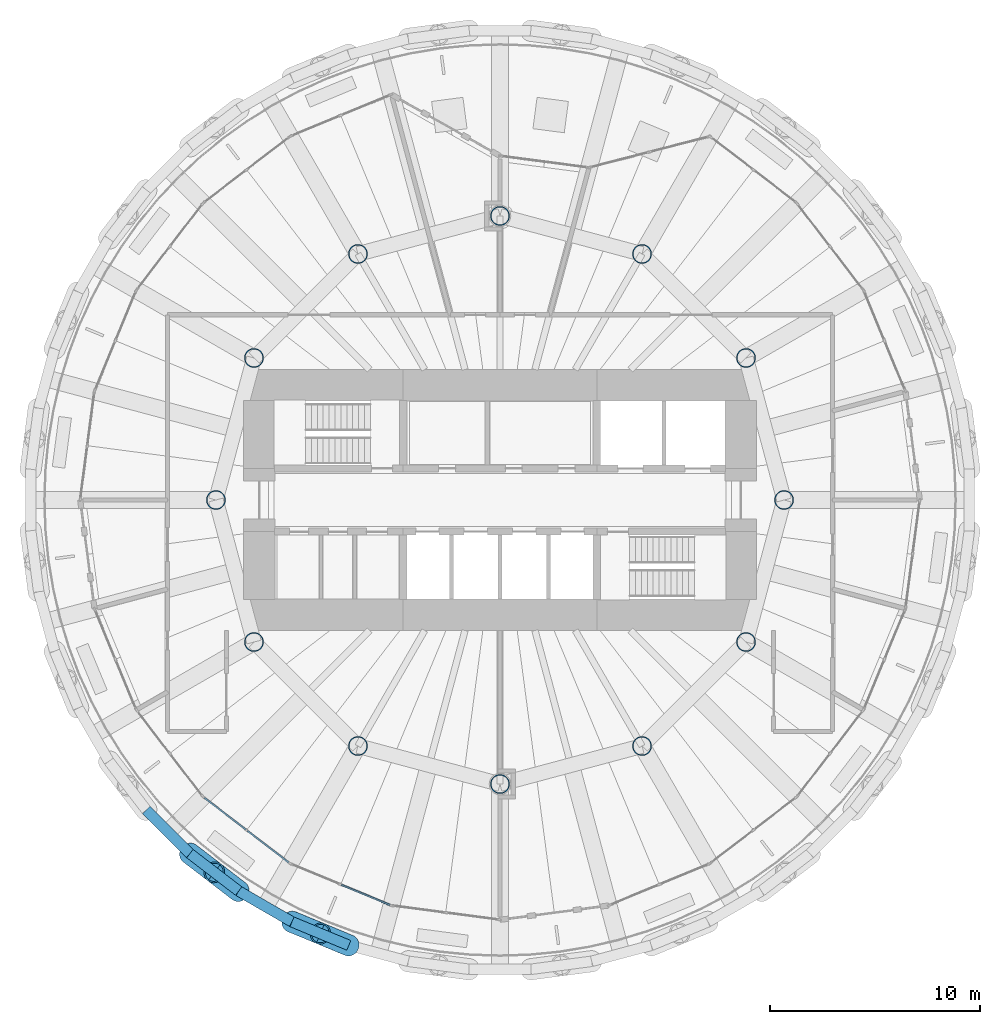
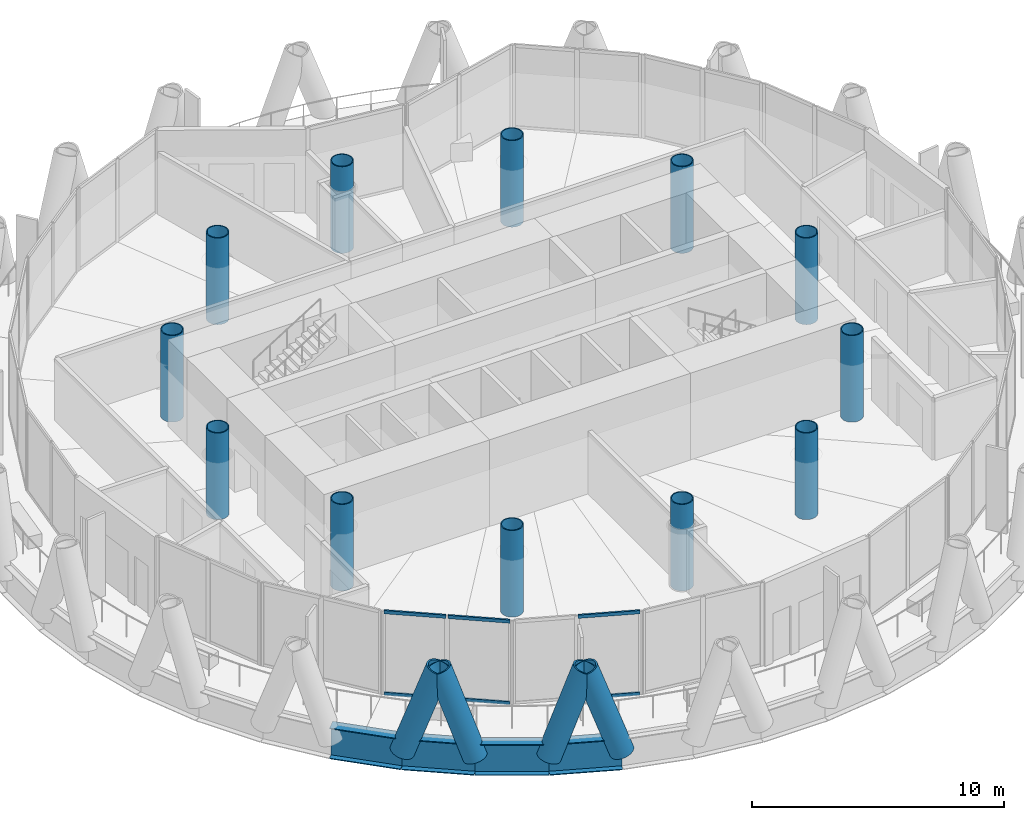
# One storey, part 1 of 14: 12 columns, 10 members, 4 beams, 2 elements without a shape of their own.
"""IFC4 building model written with IfcOpenShell, lengths in metres."""

from ifc_helpers import new_model, si_unit, direction, frame, origin, origin_2d, place, context, subcontext, project, spatial, rectangle, hollow_circle, i_section, extrude, material, material_profile, profile_set, type_object, element, aggregate, save


model = new_model("IFC4")

# Units and contexts
model_context = context("Model", 3, precision=1e-05, world=origin(), true_north=direction((0.0, 1.0)))
body_context = subcontext(model_context, "Body", "Model", "MODEL_VIEW")
ifc_project = project(units=[si_unit("LENGTHUNIT", "METRE"), si_unit("AREAUNIT", "SQUARE_METRE"), si_unit("VOLUMEUNIT", "CUBIC_METRE"), si_unit("PLANEANGLEUNIT", "RADIAN"), si_unit("MASSUNIT", "GRAM", prefix="KILO")], contexts=[model_context])

# Site, building, storey
site_placement = place(None, origin())
site = spatial("IfcSite", under=ifc_project, at=site_placement, CompositionType="ELEMENT")
building_placement = place(site_placement, origin())
building = spatial("IfcBuilding", under=site, at=building_placement, Name="Qaws Media Tower", CompositionType="ELEMENT")
storey_placement = place(building_placement, frame((0.0, 0.0, 248.60009765625)))
storey = spatial("IfcBuildingStorey", under=building, at=storey_placement, Name="L57", CompositionType="ELEMENT", Elevation=248.60009765625)

# Columns
ifc_material_1 = material(Name="Steel S460", Category="steel")
ifc_material_profile_1 = material_profile(ifc_material_1, hollow_circle(Radius=0.45703125, WallThickness=0.044921875, at=origin_2d()), Name="CHS 914x45")
ifc_profile_set_1 = profile_set([ifc_material_profile_1], Name="Steel S460")
column_type = type_object("IfcColumnType", Name="Inner column CHS 914x45", PredefinedType="COLUMN", material=ifc_profile_set_1)
for number, where, z_axis, x_axis, name in (
    (1, (73.5, 50.0, 0.0), (0.0, 0.0, 1.0), (1.0, 0.0, 0.0), "C3 inner column I01 L57"),
    (2, (71.69140625, 56.75, 0.0), (0.0, 0.0, 1.0), (1.0, 0.0, 0.0), "C3 inner column I02 L57"),
    (3, (66.75, 61.69140625, 0.0), (0.0, 0.0, 1.0), (1.0, 0.0, 0.0), "C3 inner column I03 L57"),
    (4, (60.0, 63.5, 0.0), (0.0, 0.0, 1.0), (1.0, 0.0, 0.0), "C3 inner column I04 L57"),
    (5, (53.25, 61.69140625, 0.0), (0.0, 0.0, 1.0), (1.0, 0.0, 0.0), "C3 inner column I05 L57"),
    (6, (48.30859375, 56.75, 0.0), (0.0, 0.0, 1.0), (1.0, 0.0, 0.0), "C3 inner column I06 L57"),
    (7, (46.5, 50.0, 0.0), (0.0, 0.0, 1.0), (1.0, 0.0, 0.0), "C3 inner column I07 L57"),
    (8, (48.30859375, 43.25, 0.0), (0.0, 0.0, 1.0), (1.0, 0.0, 0.0), "C3 inner column I08 L57"),
    (9, (53.25, 38.30859375, 0.0), (0.0, 0.0, 1.0), (1.0, 0.0, 0.0), "C3 inner column I09 L57"),
    (10, (60.0, 36.5, 0.0), (0.0, 0.0, 1.0), (1.0, 0.0, 0.0), "C3 inner column I10 L57"),
    (11, (66.75, 38.30859375, 0.0), (0.0, 0.0, 1.0), (1.0, 0.0, 0.0), "C3 inner column I11 L57"),
    (12, (71.69140625, 43.25, 0.0), (0.0, 0.0, 1.0), (1.0, 0.0, 0.0), "C3 inner column I12 L57"),
):
    element("IfcColumn", number, at=place(storey_placement, frame(where, z_axis=z_axis, x_axis=x_axis)), inside=storey, type_object=column_type, Name=name, PredefinedType="COLUMN", context=body_context, shape_type="SweptSolid", body=[
        extrude(hollow_circle(Radius=0.45703125, WallThickness=0.044921875, at=origin_2d()), origin(), (0.0, 0.0, 1.0), 4.199951171875),
    ])

# Curtain wall, members
ifc_material_2 = material(Name="Aluminium and clear glass", Category="aluminium")
curtain_wall_type = type_object("IfcCurtainWallType", Name="Unitised curtain wall CW-C", PredefinedType="NOTDEFINED", material=ifc_material_2)
curtain_wall_1_placement = place(storey_placement, origin())
curtain_wall_1 = element("IfcCurtainWall", 13, at=curtain_wall_1_placement, inside=storey, type_object=curtain_wall_type, Name="CWC curtain wall L57-16", PredefinedType="NOTDEFINED")
ifc_material_3 = material(Name="Aluminium transom", Category="aluminium")
ifc_material_profile_2 = material_profile(ifc_material_3, rectangle(XDim=0.080078125, YDim=0.159912109375, at=origin_2d()), Name="80x160")
ifc_profile_set_2 = profile_set([ifc_material_profile_2], Name="Aluminium transom")
member_type_1 = type_object("IfcMemberType", Name="Curtain wall transom 80x160", PredefinedType="USERDEFINED", material=ifc_profile_set_2)
member_1_placement = place(storey_placement, frame((45.956787109375, 35.844482421875, 0.039794921875), z_axis=(0.793346858424, -0.608769876249, 0.0), x_axis=(0.608769876249, 0.793346858424, 0.0)))
member_1 = element("IfcMember", 14, at=member_1_placement, type_object=member_type_1, Name="CWC transom 1.1", ObjectType="TRANSOM", PredefinedType="USERDEFINED", context=body_context, shape_type="SweptSolid", body=[
    extrude(rectangle(XDim=0.080078125, YDim=0.159912109375, at=origin_2d()), origin(), (0.0, 0.0, 1.0), 2.484130859375),
])
member_2_placement = place(storey_placement, frame((45.956787109375, 35.844482421875, 4.0), z_axis=(0.793346858424, -0.608769876249, 0.0), x_axis=(0.608769876249, 0.793346858424, 0.0)))
member_2 = element("IfcMember", 15, at=member_2_placement, type_object=member_type_1, Name="CWC transom 1.2", ObjectType="TRANSOM", PredefinedType="USERDEFINED", context=body_context, shape_type="SweptSolid", body=[
    extrude(rectangle(XDim=0.080078125, YDim=0.159912109375, at=origin_2d()), origin(), (0.0, 0.0, 1.0), 2.484130859375),
])
member_3_placement = place(storey_placement, frame((47.99072265625, 34.28369140625, 0.039794921875), z_axis=(0.793346858424, -0.608769876249, 0.0), x_axis=(0.608769876249, 0.793346858424, 0.0)))
member_3 = element("IfcMember", 16, at=member_3_placement, type_object=member_type_1, Name="CWC transom 2.1", ObjectType="TRANSOM", PredefinedType="USERDEFINED", context=body_context, shape_type="SweptSolid", body=[
    extrude(rectangle(XDim=0.080078125, YDim=0.159912109375, at=origin_2d()), origin(), (0.0, 0.0, 1.0), 2.484130859375),
])
member_4_placement = place(storey_placement, frame((47.99072265625, 34.28369140625, 4.0), z_axis=(0.793346858424, -0.608769876249, 0.0), x_axis=(0.608769876249, 0.793346858424, 0.0)))
member_4 = element("IfcMember", 17, at=member_4_placement, type_object=member_type_1, Name="CWC transom 2.2", ObjectType="TRANSOM", PredefinedType="USERDEFINED", context=body_context, shape_type="SweptSolid", body=[
    extrude(rectangle(XDim=0.080078125, YDim=0.159912109375, at=origin_2d()), origin(), (0.0, 0.0, 1.0), 2.484130859375),
])
aggregate(curtain_wall_1, [member_1, member_2, member_3, member_4])

curtain_wall_2_placement = place(storey_placement, origin())
curtain_wall_2 = element("IfcCurtainWall", 18, at=curtain_wall_2_placement, inside=storey, type_object=curtain_wall_type, Name="CWC curtain wall L57-17", PredefinedType="NOTDEFINED")
member_5_placement = place(storey_placement, frame((52.4677734375, 31.7109375, 0.039794921875), z_axis=(0.923900641139, -0.382632467655, 0.0), x_axis=(0.382632467655, 0.923900641139, 0.0)))
member_5 = element("IfcMember", 19, at=member_5_placement, type_object=member_type_1, Name="CWC transom 2.1", ObjectType="TRANSOM", PredefinedType="USERDEFINED", context=body_context, shape_type="SweptSolid", body=[
    extrude(rectangle(XDim=0.080078125, YDim=0.159912109375, at=origin_2d()), origin(), (0.0, 0.0, 1.0), 2.48388671875),
])
member_6_placement = place(storey_placement, frame((52.4677734375, 31.7109375, 4.0), z_axis=(0.923900641139, -0.382632467655, 0.0), x_axis=(0.382632467655, 0.923900641139, 0.0)))
member_6 = element("IfcMember", 20, at=member_6_placement, type_object=member_type_1, Name="CWC transom 2.2", ObjectType="TRANSOM", PredefinedType="USERDEFINED", context=body_context, shape_type="SweptSolid", body=[
    extrude(rectangle(XDim=0.080078125, YDim=0.159912109375, at=origin_2d()), origin(), (0.0, 0.0, 1.0), 2.48388671875),
])
aggregate(curtain_wall_2, [member_5, member_6])

# Members
ifc_material_4 = material(Name="Steel S460", Category="steel")
ifc_material_profile_3 = material_profile(ifc_material_4, hollow_circle(Radius=0.508056640625, WallThickness=0.070068359375, at=origin_2d()), Name="CHS 1016x70")
ifc_profile_set_3 = profile_set([ifc_material_profile_3], Name="Steel S460")
member_type_2 = type_object("IfcMemberType", Name="Diagrid member CHS 1016x70", PredefinedType="USERDEFINED", material=ifc_profile_set_3)
for number, where, z_axis, x_axis, name in (
    (21, (45.263671875, 33.1962890625, -0.91015625), (0.261047778686, -0.199724883041, 0.9444384725), (0.607642279632, 0.794210841026, 0.0), "DG3 diagrid L57 A16"),
    (22, (50.11474609375, 29.954833984375, -0.91015625), (0.303868010364, -0.125335260643, 0.944433854072), (0.381304160517, 0.924449640149, 0.0), "DG3 diagrid L57 A17"),
    (23, (47.5830078125, 31.416748046875, -0.91015625), (-0.2604988777, 0.200438651735, 0.944438818351), (-0.609815690704, -0.792543262775, 0.0), "DG3 diagrid L57 B17"),
    (24, (52.81591796875, 28.836181640625, -0.91015625), (-0.303535445165, 0.126212332869, 0.944423994062), (-0.383939364973, -0.923358307497, 0.0), "DG3 diagrid L57 B18"),
):
    element("IfcMember", number, at=place(storey_placement, frame(where, z_axis=z_axis, x_axis=x_axis)), inside=storey, type_object=member_type_2, Name=name, ObjectType="DIAGRID", PredefinedType="USERDEFINED", context=body_context, shape_type="SweptSolid", body=[
        extrude(hollow_circle(Radius=0.508056640625, WallThickness=0.070068359375, at=origin_2d()), origin(), (0.0, 0.0, 1.0), 4.447021484375),
    ])

# Beams
ifc_material_5 = material(Name="Steel S460", Category="steel")
ifc_material_profile_4 = material_profile(ifc_material_5, i_section(OverallWidth=0.5, OverallDepth=1.5, WebThickness=0.02001953125, FlangeThickness=0.0400390625, at=origin_2d()), Name="PG 1500x500")
ifc_profile_set_4 = profile_set([ifc_material_profile_4], Name="Steel S460")
beam_type = type_object("IfcBeamType", Name="Edge ring beam PG 1500x500", PredefinedType="BEAM", material=ifc_profile_set_4)
beam_1_placement = place(storey_placement, frame((43.1962890625, 35.263671875, -0.91015625), z_axis=(0.707106781187, -0.707106781187, 0.0), x_axis=(0.707106781187, 0.707106781187, 0.0)))
element("IfcBeam", 25, at=beam_1_placement, inside=storey, type_object=beam_type, Name="RB4 edge ring beam L57-30", PredefinedType="BEAM", context=body_context, shape_type="SweptSolid", body=[
    extrude(i_section(OverallWidth=0.5, OverallDepth=1.5, WebThickness=0.02001953125, FlangeThickness=0.0400390625, at=origin_2d()), origin(), (0.0, 0.0, 1.0), 2.923828125),
])
beam_2_placement = place(storey_placement, frame((45.263671875, 33.1962890625, -0.91015625), z_axis=(0.793377797555, -0.608729554356, 0.0), x_axis=(0.608729554356, 0.793377797555, 0.0)))
element("IfcBeam", 26, at=beam_2_placement, inside=storey, type_object=beam_type, Name="RB4 edge ring beam L57-31", PredefinedType="BEAM", context=body_context, shape_type="SweptSolid", body=[
    extrude(i_section(OverallWidth=0.5, OverallDepth=1.5, WebThickness=0.02001953125, FlangeThickness=0.0400390625, at=origin_2d()), origin(), (0.0, 0.0, 1.0), 2.92333984375),
])
for number, where, z_axis, x_axis, name in (
    (27, (47.5830078125, 31.416748046875, -0.91015625), (0.865993663503, -0.500054971751, 0.0), (0.500054971751, 0.865993663503, 0.0), "RB4 edge ring beam L57-32"),
    (28, (50.11474609375, 29.954833984375, -0.91015625), (0.923904886994, -0.382622215492, 0.0), (0.382622215492, 0.923904886994, 0.0), "RB4 edge ring beam L57-33"),
):
    element("IfcBeam", number, at=place(storey_placement, frame(where, z_axis=z_axis, x_axis=x_axis)), inside=storey, type_object=beam_type, Name=name, PredefinedType="BEAM", context=body_context, shape_type="SweptSolid", body=[
        extrude(i_section(OverallWidth=0.5, OverallDepth=1.5, WebThickness=0.02001953125, FlangeThickness=0.0400390625, at=origin_2d()), origin(), (0.0, 0.0, 1.0), 2.923583984375),
    ])

save(model, "model.ifc")
